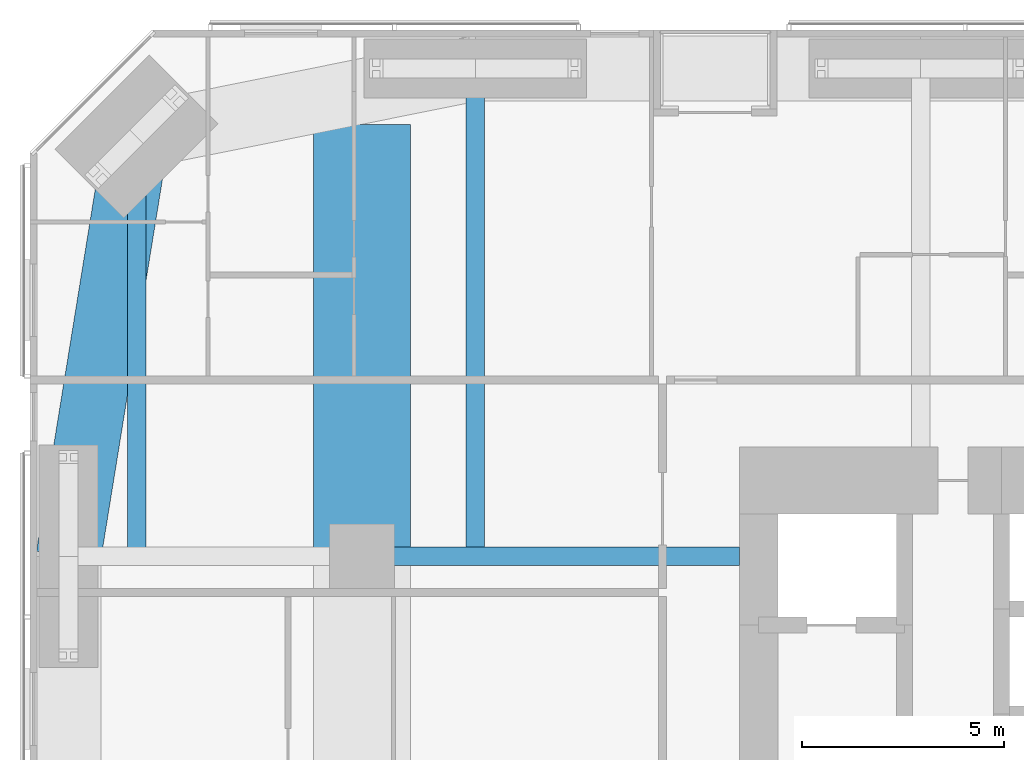
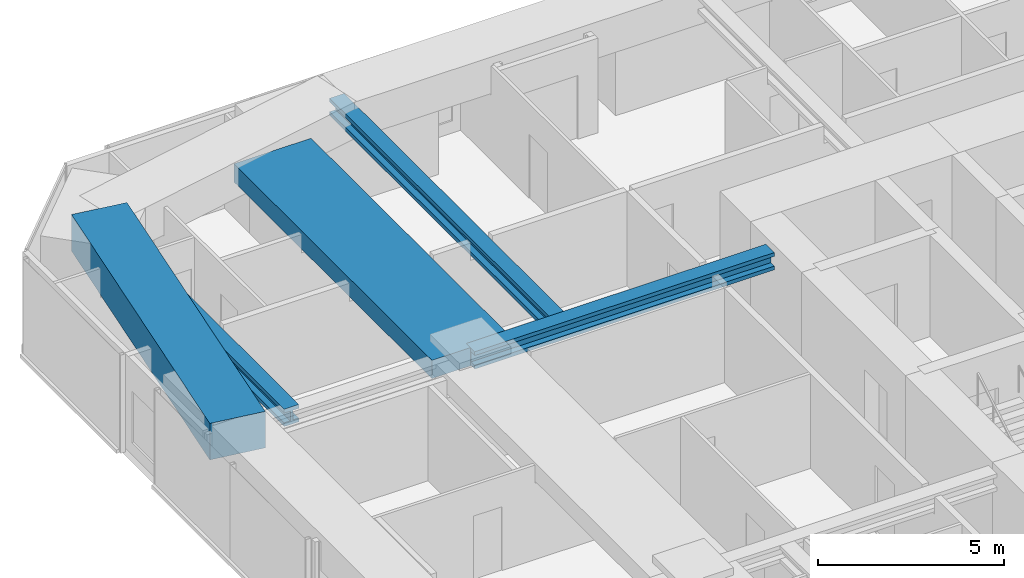
# One storey, part 8 of 24: 5 beams.
"""IFC4 building model written with IfcOpenShell, lengths in metres."""

from ifc_helpers import new_model, si_unit, direction, frame, origin, origin_2d, place, context, subcontext, project, spatial, rectangle, i_section, extrude, material, material_profile, profile_set, type_object, element, save


model = new_model("IFC4")

# Units and contexts
model_context = context("Model", 3, precision=1e-05, world=origin(), true_north=direction((0.0, 1.0)))
body_context = subcontext(model_context, "Body", "Model", "MODEL_VIEW")
ifc_project = project(units=[si_unit("LENGTHUNIT", "METRE"), si_unit("AREAUNIT", "SQUARE_METRE"), si_unit("VOLUMEUNIT", "CUBIC_METRE"), si_unit("PLANEANGLEUNIT", "RADIAN"), si_unit("MASSUNIT", "GRAM", prefix="KILO")], contexts=[model_context])

# Site, building, storey
site_placement = place(None, origin())
site = spatial("IfcSite", under=ifc_project, at=site_placement, CompositionType="ELEMENT")
building_placement = place(site_placement, origin())
building = spatial("IfcBuilding", under=site, at=building_placement, Name="Jalousie Tower", CompositionType="ELEMENT")
storey_placement = place(building_placement, frame((0.0, 0.0, 57.85009765625)))
storey = spatial("IfcBuildingStorey", under=building, at=storey_placement, Name="L15", CompositionType="ELEMENT", Elevation=57.85009765625)

# Beams
ifc_material_1 = material(Name="Steel ASTM A992 Grade 50", Category="steel")
ifc_material_profile_1 = material_profile(ifc_material_1, i_section(OverallWidth=0.45458984375, OverallDepth=0.569091796875, WebThickness=0.077880859375, FlangeThickness=0.124755859375, at=origin_2d()), Name="W14X730")
ifc_profile_set_1 = profile_set([ifc_material_profile_1], Name="Steel ASTM A992 Grade 50")
beam_type_1 = type_object("IfcBeamType", Name="LEAN COLLECTOR W14X730", PredefinedType="BEAM", material=ifc_profile_set_1)
beam_1_placement = place(storey_placement, frame((10.199951171875, 25.0, 2.825439453125), z_axis=(1.0, 0.0, 0.0), x_axis=(0.0, 1.0, 0.0)))
element("IfcBeam", 1, at=beam_1_placement, inside=storey, type_object=beam_type_1, Name="Lean collector under L16", PredefinedType="BEAM", context=body_context, shape_type="SweptSolid", body=[
    extrude(i_section(OverallWidth=0.45458984375, OverallDepth=0.569091796875, WebThickness=0.077880859375, FlangeThickness=0.124755859375, at=origin_2d()), origin(), (0.0, 0.0, 1.0), 9.324951171875),
])
beam_2_placement = place(storey_placement, frame((4.63134765625, 35.36865234375, 2.825439453125), z_axis=(0.0, -1.0, 0.0), x_axis=(1.0, 0.0, 0.0)))
element("IfcBeam", 2, at=beam_2_placement, inside=storey, type_object=beam_type_1, Name="Lean collector under L16", PredefinedType="BEAM", context=body_context, shape_type="SweptSolid", body=[
    extrude(i_section(OverallWidth=0.45458984375, OverallDepth=0.569091796875, WebThickness=0.077880859375, FlangeThickness=0.124755859375, at=origin_2d()), origin(), (0.0, 0.0, 1.0), 10.36865234375),
])
beam_3_placement = place(storey_placement, frame((13.0, 37.050048828125, 2.825439453125), z_axis=(0.0, -1.0, 0.0), x_axis=(1.0, 0.0, 0.0)))
element("IfcBeam", 3, at=beam_3_placement, inside=storey, type_object=beam_type_1, Name="Lean collector under L16", PredefinedType="BEAM", context=body_context, shape_type="SweptSolid", body=[
    extrude(i_section(OverallWidth=0.45458984375, OverallDepth=0.569091796875, WebThickness=0.077880859375, FlangeThickness=0.124755859375, at=origin_2d()), origin(), (0.0, 0.0, 1.0), 12.050048828125),
])
ifc_material_2 = material(Name="Concrete f'c 40 MPa", Category="concrete")
ifc_material_profile_2 = material_profile(ifc_material_2, rectangle(XDim=1.60009765625, YDim=1.199951171875, at=origin_2d()), Name="RC 1600x1200")
ifc_profile_set_2 = profile_set([ifc_material_profile_2], Name="Concrete f'c 40 MPa")
beam_type_2 = type_object("IfcBeamType", Name="RC BEAM 1600x1200", PredefinedType="BEAM", material=ifc_profile_set_2)
beam_4_placement = place(storey_placement, frame((4.63134765625, 35.36865234375, 2.75), z_axis=(-0.160070546476, -0.987105577003, 0.0), x_axis=(0.987105577003, -0.160070546476, 0.0)))
element("IfcBeam", 4, at=beam_4_placement, inside=storey, type_object=beam_type_2, Name="Edge band beam 12-13 under L16", PredefinedType="BEAM", context=body_context, shape_type="SweptSolid", body=[
    extrude(rectangle(XDim=1.60009765625, YDim=1.199951171875, at=origin_2d()), origin(), (0.0, 0.0, 1.0), 10.504150390625),
])
ifc_material_3 = material(Name="Concrete f'c 40 MPa", Category="concrete")
ifc_material_profile_3 = material_profile(ifc_material_3, rectangle(XDim=2.39990234375, YDim=0.60009765625, at=origin_2d()), Name="RC 2400x600")
ifc_profile_set_3 = profile_set([ifc_material_profile_3], Name="Concrete f'c 40 MPa")
beam_type_3 = type_object("IfcBeamType", Name="RC BEAM 2400x600", PredefinedType="BEAM", material=ifc_profile_set_3)
beam_5_placement = place(storey_placement, frame((10.199951171875, 25.0, 2.809814453125), z_axis=(0.0, 1.0, 0.0), x_axis=(-1.0, 0.0, 0.0)))
element("IfcBeam", 5, at=beam_5_placement, inside=storey, type_object=beam_type_3, Name="Floor band beam under L16", PredefinedType="BEAM", context=body_context, shape_type="SweptSolid", body=[
    extrude(rectangle(XDim=2.39990234375, YDim=0.60009765625, at=origin_2d()), origin(), (0.0, 0.0, 1.0), 10.67138671875),
])

save(model, "model.ifc")
